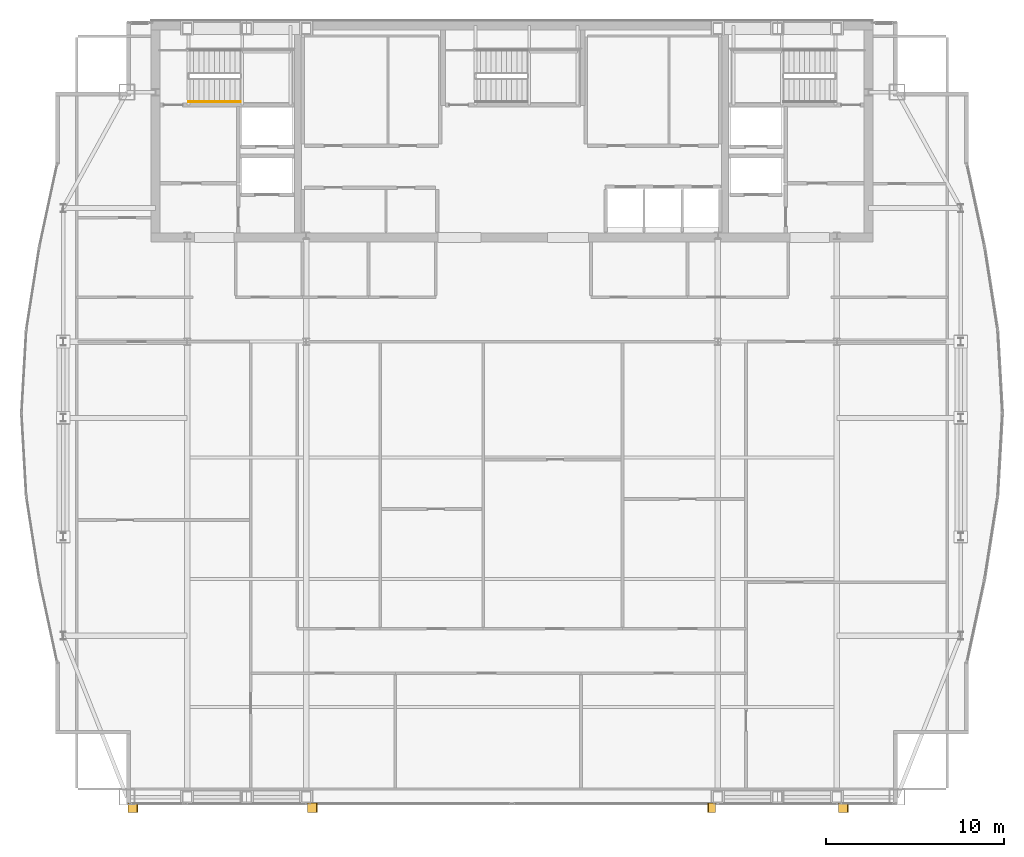
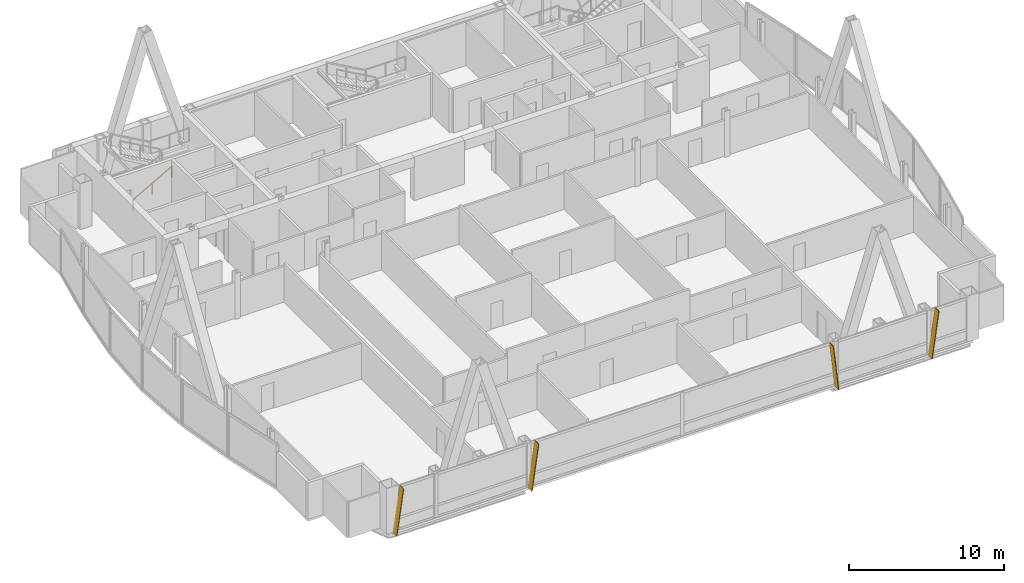
# One storey, part 28 of 29: 4 shading devices, 1 railing.
"""IFC4 building model written with IfcOpenShell, lengths in metres."""

from ifc_helpers import new_model, si_unit, direction, frame, origin, origin_2d, place, context, subcontext, project, spatial, polyline, rectangle, outline, extrude, material, layer, layer_set, type_object, element, save


model = new_model("IFC4")

# Units and contexts
model_context = context("Model", 3, precision=1e-05, world=origin(), true_north=direction((0.0, 1.0)))
body_context = subcontext(model_context, "Body", "Model", "MODEL_VIEW")
ifc_project = project(units=[si_unit("LENGTHUNIT", "METRE"), si_unit("AREAUNIT", "SQUARE_METRE"), si_unit("VOLUMEUNIT", "CUBIC_METRE"), si_unit("PLANEANGLEUNIT", "RADIAN"), si_unit("MASSUNIT", "GRAM", prefix="KILO")], contexts=[model_context])

# Site, building, storey
site_placement = place(None, origin())
site = spatial("IfcSite", under=ifc_project, at=site_placement, CompositionType="ELEMENT")
building_placement = place(site_placement, origin())
building = spatial("IfcBuilding", under=site, at=building_placement, Name="Khoronbel Lancet Exchange", CompositionType="ELEMENT")
storey_placement = place(building_placement, frame((0.0, 0.0, 314.60009765625)))
storey = spatial("IfcBuildingStorey", under=building, at=storey_placement, Name="L81", CompositionType="ELEMENT", Elevation=314.60009765625)

# Railing
ifc_material_1 = material(Name="Brushed Stainless Steel 316", Category="steel")
railing_type = type_object("IfcRailingType", Name="RL-STH92", PredefinedType="HANDRAIL", material=ifc_material_1)
railing_placement = place(storey_placement, frame((18.300048828125, 49.169921875, 0.16357421875)))
element("IfcRailing", 1, at=railing_placement, inside=storey, type_object=railing_type, Name="L81 ST1 stair handrail 1", PredefinedType="HANDRAIL", context=body_context, shape_type="SweptSolid", body=[
    extrude(rectangle(XDim=0.048095703125, YDim=0.048095703125, at=origin_2d()), frame((0.0, 0.0, 0.8759765625), z_axis=(0.870928581787, 0.0, 0.491409610636), x_axis=(0.0, 1.0, 0.0)), (0.0, 0.0, 1.0), 3.32958984375),
    extrude(rectangle(XDim=0.0419921875, YDim=0.0419921875, at=origin_2d()), origin(), (0.0, 0.0, 1.0), 0.851806640625),
    extrude(rectangle(XDim=0.0419921875, YDim=0.0419921875, at=origin_2d()), frame((1.449951171875, 0.0, 0.818115234375)), (0.0, 0.0, 1.0), 0.851806640625),
    extrude(rectangle(XDim=0.0419921875, YDim=0.0419921875, at=origin_2d()), frame((2.89990234375, 0.0, 1.63623046875)), (0.0, 0.0, 1.0), 0.851806640625),
])

# Shading devices
ifc_material_2 = material(Name="Bronze-Anodised Aluminium 6063-T6", Category="aluminium")
ifc_layer = layer(ifc_material_2, 0.054931640625, Name="Bronze-Anodised Aluminium 6063-T6")
ifc_layer_set = layer_set([ifc_layer], Name="Bronze-Anodised Aluminium 6063-T6")
shading_device_type = type_object("IfcShadingDeviceType", Name="SHD-FIN1", PredefinedType="USERDEFINED", material=ifc_layer_set)
for number, where, z_axis, x_axis, name in (
    (2, (14.91259765625, 9.81005859375, -0.080078125), (-0.990092925251, 0.0, 0.140413672296), (0.0, -1.0, 0.0), "Slanted bronze solar fin CW-L81-SWV-0"),
    (3, (24.972412109375, 9.81005859375, -0.080078125), (-0.990083483708, 0.0, 0.140480230955), (0.0, -1.0, 0.0), "Slanted bronze solar fin CW-L81-SCV-0"),
):
    element("IfcShadingDevice", number, at=place(storey_placement, frame(where, z_axis=z_axis, x_axis=x_axis)), inside=storey, type_object=shading_device_type, Name=name, ObjectType="FIN", PredefinedType="USERDEFINED", context=body_context, shape_type="SweptSolid", body=[
        extrude(outline(polyline([(0.0, 0.0), (0.52001953125, 0.0), (0.52001953125, 3.595703125), (0.0, 3.595703125), (0.0, 0.0)])), origin(), (0.0, 0.0, -1.0), 0.054931640625),
    ])
shading_device_1_placement = place(storey_placement, frame((47.87255859375, 9.81005859375, -0.080078125), z_axis=(0.993900347655, 0.0, 0.110281906632), x_axis=(0.0, -1.0, 0.0)))
element("IfcShadingDevice", 4, at=shading_device_1_placement, inside=storey, type_object=shading_device_type, Name="Slanted bronze solar fin CW-L81-SCV-2", ObjectType="FIN", PredefinedType="USERDEFINED", context=body_context, shape_type="SweptSolid", body=[
    extrude(outline(polyline([(0.0, 0.0), (0.52001953125, 0.0), (0.52001953125, -3.581787109375), (0.0, -3.581787109375), (0.0, 0.0)])), origin(), (0.0, 0.0, -1.0), 0.054931640625),
])
shading_device_2_placement = place(storey_placement, frame((54.7724609375, 9.81005859375, -0.080078125), z_axis=(-0.990083483708, 0.0, 0.140480230955), x_axis=(0.0, -1.0, 0.0)))
element("IfcShadingDevice", 5, at=shading_device_2_placement, inside=storey, type_object=shading_device_type, Name="Slanted bronze solar fin CW-L81-SEV-0", ObjectType="FIN", PredefinedType="USERDEFINED", context=body_context, shape_type="SweptSolid", body=[
    extrude(outline(polyline([(0.0, 0.0), (0.52001953125, 0.0), (0.52001953125, 3.595703125), (0.0, 3.595703125), (0.0, 0.0)])), origin(), (0.0, 0.0, -1.0), 0.054931640625),
])

save(model, "model.ifc")
